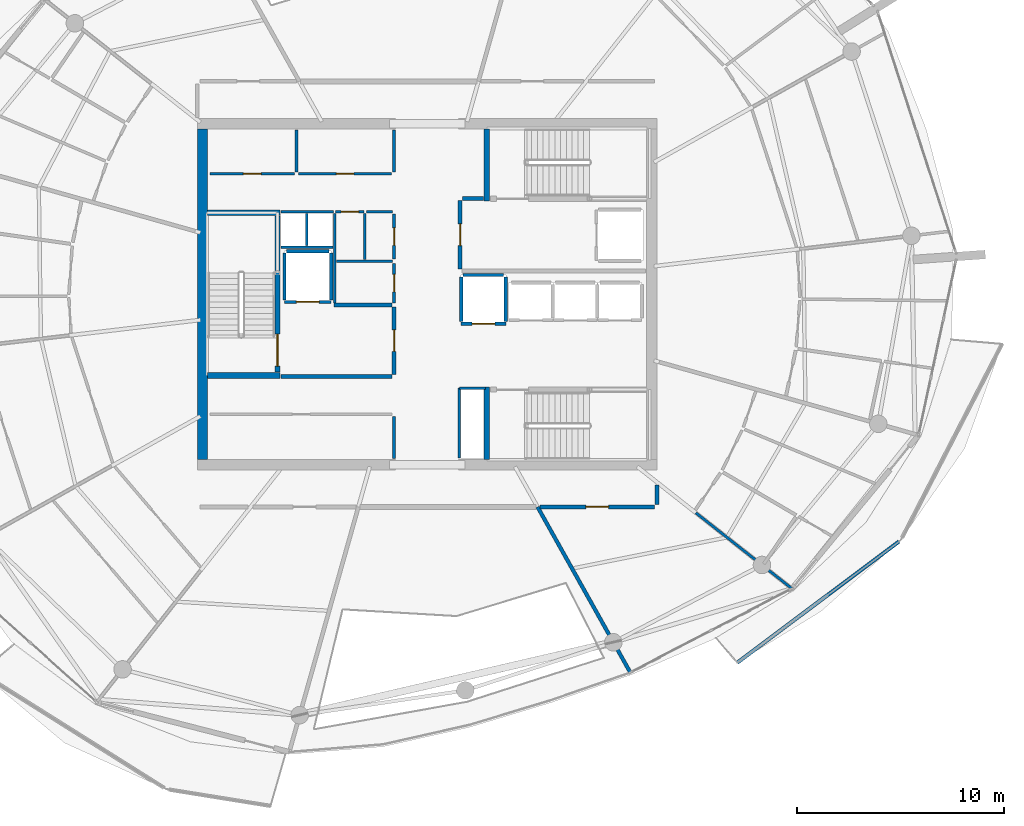
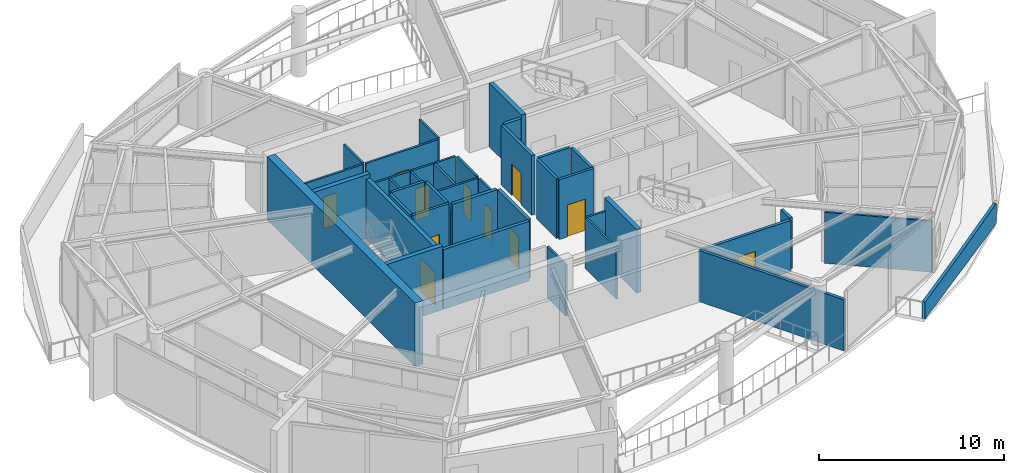
# One storey, part 14 of 22: 41 walls, 11 doors, 11 openings.
"""IFC4 building model written with IfcOpenShell, lengths in metres."""

from ifc_helpers import new_model, si_unit, direction, frame, frame_2d, origin, place, context, subcontext, project, spatial, polyline, rectangle, outline, extrude, material, layer, layer_set, type_object, element, fill, save


model = new_model("IFC4")

# Units and contexts
model_context = context("Model", 3, precision=1e-05, world=origin(), true_north=direction((0.0, 1.0)))
body_context = subcontext(model_context, "Body", "Model", "MODEL_VIEW")
ifc_project = project(units=[si_unit("LENGTHUNIT", "METRE"), si_unit("AREAUNIT", "SQUARE_METRE"), si_unit("VOLUMEUNIT", "CUBIC_METRE"), si_unit("PLANEANGLEUNIT", "RADIAN"), si_unit("MASSUNIT", "GRAM", prefix="KILO")], contexts=[model_context])

# Site, building, storey
site_placement = place(None, origin())
site = spatial("IfcSite", under=ifc_project, at=site_placement, CompositionType="ELEMENT")
building_placement = place(site_placement, origin())
building = spatial("IfcBuilding", under=site, at=building_placement, Name="Kazma Halo Residences", CompositionType="ELEMENT")
storey_placement = place(building_placement, frame((0.0, 0.0, 334.699951171875)))
storey = spatial("IfcBuildingStorey", under=building, at=storey_placement, Name="L84", CompositionType="ELEMENT", Elevation=334.699951171875)

# Walls
ifc_material_1 = material(Name="White Concrete C50/60 Balustrade", Category="concrete")
ifc_layer_1 = layer(ifc_material_1, 0.179931640625)
ifc_layer_set_1 = layer_set([ifc_layer_1], Name="White Concrete C50/60 Balustrade")
wall_type_1 = type_object("IfcWallType", Name="WL-BAL-WAVE-180", PredefinedType="PARAPET", material=ifc_layer_set_1)
wall_1_placement = place(storey_placement, frame((63.427001953125, 24.158935546875, 0.0), z_axis=(0.0, 0.0, 1.0), x_axis=(0.800350065213, 0.599532962491, 0.0)))
element("IfcWall", 1, at=wall_1_placement, inside=storey, type_object=wall_type_1, Name="L84 white wave balustrade wall SE.1", PredefinedType="PARAPET", context=body_context, shape_type="SweptSolid", body=[
    extrude(outline(polyline([(0.0, 0.0), (9.787841796875, 0.0), (9.787841796875, 1.34814453125), (4.89404296875, 1.18212890625), (0.0, 1.1201171875), (0.0, 0.0)])), frame((0.0, 0.08984375, 0.0), z_axis=(0.0, -1.0, 0.0), x_axis=(1.0, 0.0, 0.0)), (0.0, 0.0, 1.0), 0.179931640625),
])
ifc_material_2 = material(Name="Concrete C60/75", Category="concrete")
ifc_layer_2 = layer(ifc_material_2, 0.5)
ifc_layer_set_2 = layer_set([ifc_layer_2], Name="Concrete C60/75")
wall_type_2 = type_object("IfcWallType", Name="WL-CORE-500", PredefinedType="SHEAR", material=ifc_layer_set_2)
wall_2_placement = place(storey_placement, frame((37.550048828125, 34.0, 0.0), z_axis=(0.0, 0.0, 1.0), x_axis=(0.0, 1.0, 0.0)))
element("IfcWall", 2, at=wall_2_placement, inside=storey, type_object=wall_type_2, Name="L84 central core shear wall W", PredefinedType="SHEAR", context=body_context, shape_type="SweptSolid", body=[
    extrude(rectangle(XDim=16.0, YDim=0.5, at=frame_2d((8.0, 0.0))), origin(), (0.0, 0.0, 1.0), 4.199951171875),
])
ifc_layer_3 = layer(ifc_material_2, 0.280029296875)
ifc_layer_set_3 = layer_set([ifc_layer_3], Name="Concrete C60/75")
wall_type_3 = type_object("IfcWallType", Name="WL-CORE-ST-280", PredefinedType="SHEAR", material=ifc_layer_set_3)
for number, where, z_axis, x_axis, name in (
    (3, (37.800048828125, 38.06005859375, 0.0), (0.0, 0.0, 1.0), (1.0, 0.0, 0.0), "L84 stairwell bearing wall ST01-S"),
    (4, (37.800048828125, 45.93994140625, 0.0), (0.0, 0.0, 1.0), (1.0, 0.0, 0.0), "L84 stairwell bearing wall ST01-N"),
    (5, (51.31005859375, 46.5, 0.0), (0.0, 0.0, 1.0), (0.0, 1.0, 0.0), "L84 stairwell bearing wall ST02-W"),
    (6, (51.31005859375, 34.0, 0.0), (0.0, 0.0, 1.0), (0.0, 1.0, 0.0), "L84 stairwell bearing wall ST03-W"),
):
    element("IfcWall", number, at=place(storey_placement, frame(where, z_axis=z_axis, x_axis=x_axis)), inside=storey, type_object=wall_type_3, Name=name, PredefinedType="SHEAR", context=body_context, shape_type="SweptSolid", body=[
        extrude(rectangle(XDim=3.5, YDim=0.280029296875, at=frame_2d((1.75, 0.0))), origin(), (0.0, 0.0, 1.0), 4.199951171875),
    ])
ifc_material_3 = material(Name="Acoustic Twin-Stud Gypsum")
ifc_layer_4 = layer(ifc_material_3, 0.179931640625)
ifc_layer_set_4 = layer_set([ifc_layer_4], Name="Acoustic Twin-Stud Gypsum")
wall_type_4 = type_object("IfcWallType", Name="WL-DEM-180", PredefinedType="PARTITIONING", material=ifc_layer_set_4)
wall_3_placement = place(storey_placement, frame((53.768310546875, 31.699951171875, 0.0), z_axis=(0.0, 0.0, 1.0), x_axis=(0.488623665245, -0.872494649704, 0.0)))
element("IfcWall", 7, at=wall_3_placement, inside=storey, type_object=wall_type_4, Name="L84 apartment demising radial wall 12", PredefinedType="PARTITIONING", context=body_context, shape_type="SweptSolid", body=[
    extrude(rectangle(XDim=9.156982421875, YDim=0.179931640625, at=frame_2d((4.57861328125, 0.0))), origin(), (0.0, 0.0, 1.0), 3.380126953125),
])

# Wall, opening, door
wall_4_placement = place(storey_placement, frame((53.88818359375, 31.699951171875, 0.0), z_axis=(0.0, 0.0, 1.0), x_axis=(1.0, 0.0, 0.0)))
wall_4 = element("IfcWall", 8, at=wall_4_placement, inside=storey, type_object=wall_type_4, Name="L84 Penthouse 3 entrance corridor wall", PredefinedType="PARTITIONING", context=body_context, shape_type="SweptSolid", body=[
    extrude(rectangle(XDim=5.541748046875, YDim=0.179931640625, at=frame_2d((2.77099609375, 0.0))), origin(), (0.0, 0.0, 1.0), 3.380126953125),
])
opening_1_placement = place(wall_4_placement, frame((2.220703125, 0.0, 0.0)))
opening_1 = element("IfcOpeningElement", 9, at=opening_1_placement, cuts=wall_4, Name="Opening DA-1100", PredefinedType="OPENING", context=body_context, shape_type="SweptSolid", body=[
    extrude(rectangle(XDim=1.10009765625, YDim=2.10009765625, at=frame_2d((0.550048828125, 1.050048828125))), frame((0.0, 0.099853515625, 0.0), z_axis=(0.0, -1.0, 0.0), x_axis=(1.0, 0.0, 0.0)), (0.0, 0.0, 1.0), 0.199951171875),
])
ifc_material_4 = material(Name="Acoustic Walnut Fire Leaf")
door_type_1 = type_object("IfcDoorType", Name="DR-FD60-1100", OperationType="NOTDEFINED", PredefinedType="DOOR", material=ifc_material_4)
door_1_placement = place(opening_1_placement, origin())
door_1 = element("IfcDoor", 10, at=door_1_placement, inside=storey, type_object=door_type_1, Name="L84 Penthouse 3 entrance fire door", OperationType="SINGLE_SWING_RIGHT", OverallHeight=2.10009765625, OverallWidth=1.10009765625, PredefinedType="DOOR", context=body_context, shape_type="SweptSolid", body=[
    extrude(rectangle(XDim=1.10009765625, YDim=2.10009765625, at=frame_2d((0.550048828125, 1.050048828125))), frame((0.0, 0.02490234375, 0.0), z_axis=(0.0, -1.0, 0.0), x_axis=(1.0, 0.0, 0.0)), (0.0, 0.0, 1.0), 0.050048828125),
])
fill(opening_1, door_1)

# Wall
wall_5_placement = place(storey_placement, frame((59.550048828125, 31.820068359375, 0.0), z_axis=(0.0, 0.0, 1.0), x_axis=(0.0, 1.0, 0.0)))
element("IfcWall", 11, at=wall_5_placement, inside=storey, type_object=wall_type_4, Name="L84 Penthouse 3 entrance corridor wall", PredefinedType="PARTITIONING", context=body_context, shape_type="SweptSolid", body=[
    extrude(rectangle(XDim=0.95458984375, YDim=0.179931640625, at=frame_2d((0.477294921875, 0.0))), origin(), (0.0, 0.0, 1.0), 3.380126953125),
])

# Wall, opening, door
ifc_material_5 = material(Name="Fire-Rated Blockwork Masonry", Category="masonry")
ifc_layer_5 = layer(ifc_material_5, 0.199951171875)
ifc_layer_set_5 = layer_set([ifc_layer_5], Name="Fire-Rated Blockwork Masonry")
wall_type_5 = type_object("IfcWallType", Name="WL-FLB-200", PredefinedType="PARTITIONING", material=ifc_layer_set_5)
wall_6_placement = place(storey_placement, frame((43.780029296875, 41.6201171875, 0.0), z_axis=(0.0, 0.0, 1.0), x_axis=(-1.0, 0.0, 0.0)))
wall_6 = element("IfcWall", 12, at=wall_6_placement, inside=storey, type_object=wall_type_5, Name="L84 lift shaft FL-01 front wall", PredefinedType="PARTITIONING", context=body_context, shape_type="SweptSolid", body=[
    extrude(rectangle(XDim=2.260009765625, YDim=0.159912109375, at=frame_2d((1.1298828125, 0.0))), origin(), (0.0, 0.0, 1.0), 3.93994140625),
])
opening_2_placement = place(wall_6_placement, frame((0.580078125, 0.0, 0.0)))
opening_2 = element("IfcOpeningElement", 13, at=opening_2_placement, cuts=wall_6, Name="Opening LD-FL-01", PredefinedType="OPENING", context=body_context, shape_type="SweptSolid", body=[
    extrude(rectangle(XDim=1.10009765625, YDim=2.10009765625, at=frame_2d((0.550048828125, 1.050048828125))), frame((0.0, 0.08984375, 0.0), z_axis=(0.0, -1.0, 0.0), x_axis=(1.0, 0.0, 0.0)), (0.0, 0.0, 1.0), 0.179931640625),
])
ifc_material_6 = material(Name="Stainless Steel Fire-Rated", Category="steel")
door_type_2 = type_object("IfcDoorType", Name="DR-LIFT-SLD-1100", OperationType="DOUBLE_DOOR_SLIDING", PredefinedType="DOOR", material=ifc_material_6)
door_2_placement = place(opening_2_placement, origin())
door_2 = element("IfcDoor", 14, at=door_2_placement, inside=storey, type_object=door_type_2, Name="L84 lift FL-01 sliding landing door", OperationType="DOUBLE_DOOR_SLIDING", OverallHeight=2.10009765625, OverallWidth=1.10009765625, PredefinedType="DOOR", context=body_context, shape_type="SweptSolid", body=[
    extrude(rectangle(XDim=1.10009765625, YDim=2.10009765625, at=frame_2d((0.550048828125, 1.050048828125))), frame((0.0, 0.02490234375, 0.0), z_axis=(0.0, -1.0, 0.0), x_axis=(1.0, 0.0, 0.0)), (0.0, 0.0, 1.0), 0.050048828125),
])
fill(opening_2, door_2)

# Walls
for number, where, z_axis, x_axis, name in (
    (15, (43.780029296875, 41.719970703125, 0.0), (0.0, 0.0, 1.0), (0.0, 1.0, 0.0), "L84 lift shaft FL-01 side wall E"),
    (16, (41.52001953125, 41.719970703125, 0.0), (0.0, 0.0, 1.0), (0.0, 1.0, 0.0), "L84 lift shaft FL-01 side wall W"),
):
    element("IfcWall", number, at=place(storey_placement, frame(where, z_axis=z_axis, x_axis=x_axis)), inside=storey, type_object=wall_type_5, Name=name, PredefinedType="PARTITIONING", context=body_context, shape_type="SweptSolid", body=[
        extrude(rectangle(XDim=2.260009765625, YDim=0.159912109375, at=frame_2d((1.1298828125, 0.0))), origin(), (0.0, 0.0, 1.0), 3.93994140625),
    ])
wall_7_placement = place(storey_placement, frame((41.6201171875, 44.080078125, 0.0), z_axis=(0.0, 0.0, 1.0), x_axis=(1.0, 0.0, 0.0)))
element("IfcWall", 17, at=wall_7_placement, inside=storey, type_object=wall_type_5, Name="L84 lift shaft FL-01 side wall N", PredefinedType="PARTITIONING", context=body_context, shape_type="SweptSolid", body=[
    extrude(rectangle(XDim=2.059814453125, YDim=0.159912109375, at=frame_2d((1.02978515625, 0.0))), origin(), (0.0, 0.0, 1.0), 3.93994140625),
])

# Wall, opening, door
wall_8_placement = place(storey_placement, frame((52.22998046875, 40.570068359375, 0.0), z_axis=(0.0, 0.0, 1.0), x_axis=(-1.0, 0.0, 0.0)))
wall_8 = element("IfcWall", 18, at=wall_8_placement, inside=storey, type_object=wall_type_5, Name="L84 lift shaft SV-01 front wall", PredefinedType="PARTITIONING", context=body_context, shape_type="SweptSolid", body=[
    extrude(rectangle(XDim=2.159912109375, YDim=0.159912109375, at=frame_2d((1.080078125, 0.0))), origin(), (0.0, 0.0, 1.0), 3.93994140625),
])
opening_3_placement = place(wall_8_placement, frame((0.530029296875, 0.0, 0.0)))
opening_3 = element("IfcOpeningElement", 19, at=opening_3_placement, cuts=wall_8, Name="Opening LD-SV-01", PredefinedType="OPENING", context=body_context, shape_type="SweptSolid", body=[
    extrude(rectangle(XDim=1.10009765625, YDim=2.10009765625, at=frame_2d((0.550048828125, 1.050048828125))), frame((0.0, 0.08984375, 0.0), z_axis=(0.0, -1.0, 0.0), x_axis=(1.0, 0.0, 0.0)), (0.0, 0.0, 1.0), 0.179931640625),
])
door_3_placement = place(opening_3_placement, origin())
door_3 = element("IfcDoor", 20, at=door_3_placement, inside=storey, type_object=door_type_2, Name="L84 lift SV-01 sliding landing door", OperationType="DOUBLE_DOOR_SLIDING", OverallHeight=2.10009765625, OverallWidth=1.10009765625, PredefinedType="DOOR", context=body_context, shape_type="SweptSolid", body=[
    extrude(rectangle(XDim=1.10009765625, YDim=2.10009765625, at=frame_2d((0.550048828125, 1.050048828125))), frame((0.0, 0.02490234375, 0.0), z_axis=(0.0, -1.0, 0.0), x_axis=(1.0, 0.0, 0.0)), (0.0, 0.0, 1.0), 0.050048828125),
])
fill(opening_3, door_3)

# Walls
for number, where, z_axis, x_axis, name in (
    (21, (52.22998046875, 40.669921875, 0.0), (0.0, 0.0, 1.0), (0.0, 1.0, 0.0), "L84 lift shaft SV-01 side wall E"),
    (22, (50.070068359375, 40.669921875, 0.0), (0.0, 0.0, 1.0), (0.0, 1.0, 0.0), "L84 lift shaft SV-01 side wall W"),
):
    element("IfcWall", number, at=place(storey_placement, frame(where, z_axis=z_axis, x_axis=x_axis)), inside=storey, type_object=wall_type_5, Name=name, PredefinedType="PARTITIONING", context=body_context, shape_type="SweptSolid", body=[
        extrude(rectangle(XDim=2.16015625, YDim=0.159912109375, at=frame_2d((1.080078125, 0.0))), origin(), (0.0, 0.0, 1.0), 3.93994140625),
    ])
wall_9_placement = place(storey_placement, frame((50.169921875, 42.929931640625, 0.0), z_axis=(0.0, 0.0, 1.0), x_axis=(1.0, 0.0, 0.0)))
element("IfcWall", 23, at=wall_9_placement, inside=storey, type_object=wall_type_5, Name="L84 lift shaft SV-01 side wall N", PredefinedType="PARTITIONING", context=body_context, shape_type="SweptSolid", body=[
    extrude(rectangle(XDim=1.9599609375, YDim=0.159912109375, at=frame_2d((0.97998046875, 0.0))), origin(), (0.0, 0.0, 1.0), 3.93994140625),
])
wall_10_placement = place(storey_placement, frame((41.35009765625, 38.02001953125, 0.0), z_axis=(0.0, 0.0, 1.0), x_axis=(1.0, 0.0, 0.0)))
element("IfcWall", 24, at=wall_10_placement, inside=storey, type_object=wall_type_5, Name="L84 west firefighting lobby south smoke wall", PredefinedType="PARTITIONING", context=body_context, shape_type="SweptSolid", body=[
    extrude(rectangle(XDim=5.369873046875, YDim=0.199951171875, at=frame_2d((2.68505859375, 0.0))), origin(), (0.0, 0.0, 1.0), 3.93994140625),
])
wall_11_placement = place(storey_placement, frame((43.919921875, 41.47998046875, 0.0), z_axis=(0.0, 0.0, 1.0), x_axis=(1.0, 0.0, 0.0)))
element("IfcWall", 25, at=wall_11_placement, inside=storey, type_object=wall_type_5, Name="L84 west firefighting lobby north smoke wall", PredefinedType="PARTITIONING", context=body_context, shape_type="SweptSolid", body=[
    extrude(rectangle(XDim=2.800048828125, YDim=0.199951171875, at=frame_2d((1.39990234375, 0.0))), origin(), (0.0, 0.0, 1.0), 3.93994140625),
])

# Wall, opening, door
wall_12_placement = place(storey_placement, frame((46.820068359375, 38.1201171875, 0.0), z_axis=(0.0, 0.0, 1.0), x_axis=(0.0, 1.0, 0.0)))
wall_12 = element("IfcWall", 26, at=wall_12_placement, inside=storey, type_object=wall_type_5, Name="L84 west firefighting lobby smoke wall", PredefinedType="PARTITIONING", context=body_context, shape_type="SweptSolid", body=[
    extrude(rectangle(XDim=3.259765625, YDim=0.199951171875, at=frame_2d((1.6298828125, 0.0))), origin(), (0.0, 0.0, 1.0), 3.93994140625),
])
opening_4_placement = place(wall_12_placement, frame((1.10498046875, 0.0, 0.0)))
opening_4 = element("IfcOpeningElement", 27, at=opening_4_placement, cuts=wall_12, Name="Opening D-FLW", PredefinedType="OPENING", context=body_context, shape_type="SweptSolid", body=[
    extrude(rectangle(XDim=1.050048828125, YDim=2.10009765625, at=frame_2d((0.52490234375, 1.050048828125))), frame((0.0, 0.10986328125, 0.0), z_axis=(0.0, -1.0, 0.0), x_axis=(1.0, 0.0, 0.0)), (0.0, 0.0, 1.0), 0.219970703125),
])
ifc_material_7 = material(Name="Fire-Rated Steel Leaf", Category="steel")
door_type_3 = type_object("IfcDoorType", Name="DR-FD90-1050", OperationType="NOTDEFINED", PredefinedType="DOOR", material=ifc_material_7)
door_4_placement = place(opening_4_placement, origin())
door_4 = element("IfcDoor", 28, at=door_4_placement, inside=storey, type_object=door_type_3, Name="L84 west firefighting lobby smoke door", OperationType="SINGLE_SWING_LEFT", OverallHeight=2.10009765625, OverallWidth=1.050048828125, PredefinedType="DOOR", context=body_context, shape_type="SweptSolid", body=[
    extrude(rectangle(XDim=1.050048828125, YDim=2.10009765625, at=frame_2d((0.52490234375, 1.050048828125))), frame((0.0, 0.02490234375, 0.0), z_axis=(0.0, -1.0, 0.0), x_axis=(1.0, 0.0, 0.0)), (0.0, 0.0, 1.0), 0.050048828125),
])
fill(opening_4, door_4)

# Wall
wall_13_placement = place(storey_placement, frame((50.139892578125, 46.6201171875, 0.0), z_axis=(0.0, 0.0, 1.0), x_axis=(1.0, 0.0, 0.0)))
element("IfcWall", 29, at=wall_13_placement, inside=storey, type_object=wall_type_5, Name="L84 east firefighting lobby north closure wall", PredefinedType="PARTITIONING", context=body_context, shape_type="SweptSolid", body=[
    extrude(rectangle(XDim=1.02001953125, YDim=0.199951171875, at=frame_2d((0.510009765625, 0.0))), origin(), (0.0, 0.0, 1.0), 3.93994140625),
])

# Wall, opening, door
wall_14_placement = place(storey_placement, frame((50.02001953125, 43.219970703125, 0.0), z_axis=(0.0, 0.0, 1.0), x_axis=(0.0, 1.0, 0.0)))
wall_14 = element("IfcWall", 30, at=wall_14_placement, inside=storey, type_object=wall_type_5, Name="L84 east firefighting lobby smoke wall", PredefinedType="PARTITIONING", context=body_context, shape_type="SweptSolid", body=[
    extrude(rectangle(XDim=3.300048828125, YDim=0.199951171875, at=frame_2d((1.64990234375, 0.0))), origin(), (0.0, 0.0, 1.0), 3.93994140625),
])
opening_5_placement = place(wall_14_placement, frame((1.125, 0.0, 0.0)))
opening_5 = element("IfcOpeningElement", 31, at=opening_5_placement, cuts=wall_14, Name="Opening D-FLE", PredefinedType="OPENING", context=body_context, shape_type="SweptSolid", body=[
    extrude(rectangle(XDim=1.050048828125, YDim=2.10009765625, at=frame_2d((0.52490234375, 1.050048828125))), frame((0.0, 0.10986328125, 0.0), z_axis=(0.0, -1.0, 0.0), x_axis=(1.0, 0.0, 0.0)), (0.0, 0.0, 1.0), 0.219970703125),
])
door_5_placement = place(opening_5_placement, origin())
door_5 = element("IfcDoor", 32, at=door_5_placement, inside=storey, type_object=door_type_3, Name="L84 east firefighting lobby smoke door", OperationType="SINGLE_SWING_RIGHT", OverallHeight=2.10009765625, OverallWidth=1.050048828125, PredefinedType="DOOR", context=body_context, shape_type="SweptSolid", body=[
    extrude(rectangle(XDim=1.050048828125, YDim=2.10009765625, at=frame_2d((0.52490234375, 1.050048828125))), frame((0.0, 0.02490234375, 0.0), z_axis=(0.0, -1.0, 0.0), x_axis=(1.0, 0.0, 0.0)), (0.0, 0.0, 1.0), 0.050048828125),
])
fill(opening_5, door_5)

# Walls
ifc_material_8 = material(Name="Gypsum Plasterboard Partition")
ifc_layer_6 = layer(ifc_material_8, 0.125)
ifc_layer_set_6 = layer_set([ifc_layer_6], Name="Gypsum Plasterboard Partition")
wall_type_6 = type_object("IfcWallType", Name="WL-PART-125", PredefinedType="PARTITIONING", material=ifc_layer_set_6)
for number, where, z_axis, x_axis, name in (
    (33, (46.820068359375, 34.050048828125, 0.0), (0.0, 0.0, 1.0), (0.0, 1.0, 0.0), "L84 reclaimed south east wall"),
    (34, (46.820068359375, 47.919921875, 0.0), (0.0, 0.0, 1.0), (0.0, 1.0, 0.0), "L84 reclaimed north east wall"),
    (35, (42.10009765625, 47.919921875, 0.0), (0.0, 0.0, 1.0), (0.0, 1.0, 0.0), "L84 reclaimed north divider wall"),
):
    element("IfcWall", number, at=place(storey_placement, frame(where, z_axis=z_axis, x_axis=x_axis)), inside=storey, type_object=wall_type_6, Name=name, PredefinedType="PARTITIONING", context=body_context, shape_type="SweptSolid", body=[
        extrude(rectangle(XDim=2.030029296875, YDim=0.125, at=frame_2d((1.01513671875, 0.0))), origin(), (0.0, 0.0, 1.0), 3.380126953125),
    ])

# Wall, opening, door
wall_15_placement = place(storey_placement, frame((37.919921875, 47.820068359375, 0.0), z_axis=(0.0, 0.0, 1.0), x_axis=(1.0, 0.0, 0.0)))
wall_15 = element("IfcWall", 36, at=wall_15_placement, inside=storey, type_object=wall_type_6, Name="L84 reclaimed north W front wall", PredefinedType="PARTITIONING", context=body_context, shape_type="SweptSolid", body=[
    extrude(rectangle(XDim=4.080078125, YDim=0.125, at=frame_2d((2.0400390625, 0.0))), origin(), (0.0, 0.0, 1.0), 3.380126953125),
])
opening_6_placement = place(wall_15_placement, frame((1.614990234375, 0.0, 0.0)))
opening_6 = element("IfcOpeningElement", 37, at=opening_6_placement, cuts=wall_15, Name="Opening DS-850", PredefinedType="OPENING", context=body_context, shape_type="SweptSolid", body=[
    extrude(rectangle(XDim=0.85009765625, YDim=2.06005859375, at=frame_2d((0.425048828125, 1.030029296875))), frame((0.0, 0.072509765625, 0.0), z_axis=(0.0, -1.0, 0.0), x_axis=(1.0, 0.0, 0.0)), (0.0, 0.0, 1.0), 0.14501953125),
])
ifc_material_9 = material(Name="Painted Steel Access Leaf", Category="steel")
door_type_4 = type_object("IfcDoorType", Name="DR-SVC-850", OperationType="NOTDEFINED", PredefinedType="DOOR", material=ifc_material_9)
door_6_placement = place(opening_6_placement, origin())
door_6 = element("IfcDoor", 38, at=door_6_placement, inside=storey, type_object=door_type_4, Name="L84 reclaimed north W door", OperationType="SINGLE_SWING_RIGHT", OverallHeight=2.06005859375, OverallWidth=0.85009765625, PredefinedType="DOOR", context=body_context, shape_type="SweptSolid", body=[
    extrude(rectangle(XDim=0.85009765625, YDim=2.06005859375, at=frame_2d((0.425048828125, 1.030029296875))), frame((0.0, 0.02490234375, 0.0), z_axis=(0.0, -1.0, 0.0), x_axis=(1.0, 0.0, 0.0)), (0.0, 0.0, 1.0), 0.050048828125),
])
fill(opening_6, door_6)

wall_16_placement = place(storey_placement, frame((42.199951171875, 47.820068359375, 0.0), z_axis=(0.0, 0.0, 1.0), x_axis=(1.0, 0.0, 0.0)))
wall_16 = element("IfcWall", 39, at=wall_16_placement, inside=storey, type_object=wall_type_6, Name="L84 reclaimed north E front wall", PredefinedType="PARTITIONING", context=body_context, shape_type="SweptSolid", body=[
    extrude(rectangle(XDim=4.5, YDim=0.125, at=frame_2d((2.25, 0.0))), origin(), (0.0, 0.0, 1.0), 3.380126953125),
])
opening_7_placement = place(wall_16_placement, frame((1.824951171875, 0.0, 0.0)))
opening_7 = element("IfcOpeningElement", 40, at=opening_7_placement, cuts=wall_16, Name="Opening DS-850", PredefinedType="OPENING", context=body_context, shape_type="SweptSolid", body=[
    extrude(rectangle(XDim=0.85009765625, YDim=2.06005859375, at=frame_2d((0.425048828125, 1.030029296875))), frame((0.0, 0.072509765625, 0.0), z_axis=(0.0, -1.0, 0.0), x_axis=(1.0, 0.0, 0.0)), (0.0, 0.0, 1.0), 0.14501953125),
])
door_7_placement = place(opening_7_placement, origin())
door_7 = element("IfcDoor", 41, at=door_7_placement, inside=storey, type_object=door_type_4, Name="L84 reclaimed north E door", OperationType="SINGLE_SWING_LEFT", OverallHeight=2.06005859375, OverallWidth=0.85009765625, PredefinedType="DOOR", context=body_context, shape_type="SweptSolid", body=[
    extrude(rectangle(XDim=0.85009765625, YDim=2.06005859375, at=frame_2d((0.425048828125, 1.030029296875))), frame((0.0, 0.02490234375, 0.0), z_axis=(0.0, -1.0, 0.0), x_axis=(1.0, 0.0, 0.0)), (0.0, 0.0, 1.0), 0.050048828125),
])
fill(opening_7, door_7)

# Walls
wall_17_placement = place(storey_placement, frame((41.360107421875, 44.260009765625, 0.0), z_axis=(0.0, 0.0, 1.0), x_axis=(1.0, 0.0, 0.0)))
element("IfcWall", 42, at=wall_17_placement, inside=storey, type_object=wall_type_6, Name="L84 core riser south wall", PredefinedType="PARTITIONING", context=body_context, shape_type="SweptSolid", body=[
    extrude(rectangle(XDim=2.5, YDim=0.125, at=frame_2d((1.25, 0.0))), origin(), (0.0, 0.0, 1.0), 3.380126953125),
])
wall_18_placement = place(storey_placement, frame((42.60009765625, 44.35009765625, 0.0), z_axis=(0.0, 0.0, 1.0), x_axis=(0.0, 1.0, 0.0)))
element("IfcWall", 43, at=wall_18_placement, inside=storey, type_object=wall_type_6, Name="L84 core riser divider wall", PredefinedType="PARTITIONING", context=body_context, shape_type="SweptSolid", body=[
    extrude(rectangle(XDim=1.5498046875, YDim=0.125, at=frame_2d((0.77490234375, 0.0))), origin(), (0.0, 0.0, 1.0), 3.380126953125),
])
wall_19_placement = place(storey_placement, frame((49.97998046875, 34.06005859375, 0.0), z_axis=(0.0, 0.0, 1.0), x_axis=(0.0, 1.0, 0.0)))
element("IfcWall", 44, at=wall_19_placement, inside=storey, type_object=wall_type_6, Name="L84 standpipe riser wall", PredefinedType="PARTITIONING", context=body_context, shape_type="SweptSolid", body=[
    extrude(rectangle(XDim=3.39990234375, YDim=0.125, at=frame_2d((1.699951171875, 0.0))), origin(), (0.0, 0.0, 1.0), 3.380126953125),
])
wall_20_placement = place(storey_placement, frame((49.97998046875, 37.43994140625, 0.0), z_axis=(0.0, 0.0, 1.0), x_axis=(1.0, 0.0, 0.0)))
element("IfcWall", 45, at=wall_20_placement, inside=storey, type_object=wall_type_6, Name="L84 standpipe riser north wall", PredefinedType="PARTITIONING", context=body_context, shape_type="SweptSolid", body=[
    extrude(rectangle(XDim=1.260009765625, YDim=0.125, at=frame_2d((0.6298828125, 0.0))), origin(), (0.0, 0.0, 1.0), 3.380126953125),
])
wall_21_placement = place(storey_placement, frame((43.949951171875, 41.580078125, 0.0), z_axis=(0.0, 0.0, 1.0), x_axis=(0.0, 1.0, 0.0)))
element("IfcWall", 46, at=wall_21_placement, inside=storey, type_object=wall_type_6, Name="L84 core service west wall", PredefinedType="PARTITIONING", context=body_context, shape_type="SweptSolid", body=[
    extrude(rectangle(XDim=4.31982421875, YDim=0.125, at=frame_2d((2.159912109375, 0.0))), origin(), (0.0, 0.0, 1.0), 3.380126953125),
])
wall_22_placement = place(storey_placement, frame((44.030029296875, 43.590087890625, 0.0), z_axis=(0.0, 0.0, 1.0), x_axis=(1.0, 0.0, 0.0)))
element("IfcWall", 47, at=wall_22_placement, inside=storey, type_object=wall_type_6, Name="L84 core service horiz divider", PredefinedType="PARTITIONING", context=body_context, shape_type="SweptSolid", body=[
    extrude(rectangle(XDim=2.7099609375, YDim=0.125, at=frame_2d((1.35498046875, 0.0))), origin(), (0.0, 0.0, 1.0), 3.380126953125),
])
wall_23_placement = place(storey_placement, frame((45.409912109375, 43.669921875, 0.0), z_axis=(0.0, 0.0, 1.0), x_axis=(0.0, 1.0, 0.0)))
element("IfcWall", 48, at=wall_23_placement, inside=storey, type_object=wall_type_6, Name="L84 core service vert divider", PredefinedType="PARTITIONING", context=body_context, shape_type="SweptSolid", body=[
    extrude(rectangle(XDim=2.22998046875, YDim=0.125, at=frame_2d((1.114990234375, 0.0))), origin(), (0.0, 0.0, 1.0), 3.380126953125),
])

# Wall, opening, door
wall_24_placement = place(storey_placement, frame((46.820068359375, 41.580078125, 0.0), z_axis=(0.0, 0.0, 1.0), x_axis=(0.0, 1.0, 0.0)))
wall_24 = element("IfcWall", 49, at=wall_24_placement, inside=storey, type_object=wall_type_6, Name="L84 refuse room east wall", PredefinedType="PARTITIONING", context=body_context, shape_type="SweptSolid", body=[
    extrude(rectangle(XDim=1.909912109375, YDim=0.125, at=frame_2d((0.955078125, 0.0))), origin(), (0.0, 0.0, 1.0), 3.380126953125),
])
opening_8_placement = place(wall_24_placement, frame((0.530029296875, 0.0, 0.0)))
opening_8 = element("IfcOpeningElement", 50, at=opening_8_placement, cuts=wall_24, Name="Opening DS-850", PredefinedType="OPENING", context=body_context, shape_type="SweptSolid", body=[
    extrude(rectangle(XDim=0.85009765625, YDim=2.06005859375, at=frame_2d((0.425048828125, 1.030029296875))), frame((0.0, 0.072509765625, 0.0), z_axis=(0.0, -1.0, 0.0), x_axis=(1.0, 0.0, 0.0)), (0.0, 0.0, 1.0), 0.14501953125),
])
door_8_placement = place(opening_8_placement, origin())
door_8 = element("IfcDoor", 51, at=door_8_placement, inside=storey, type_object=door_type_4, Name="L84 refuse room door", OperationType="SINGLE_SWING_LEFT", OverallHeight=2.06005859375, OverallWidth=0.85009765625, PredefinedType="DOOR", context=body_context, shape_type="SweptSolid", body=[
    extrude(rectangle(XDim=0.85009765625, YDim=2.06005859375, at=frame_2d((0.425048828125, 1.030029296875))), frame((0.0, 0.02490234375, 0.0), z_axis=(0.0, -1.0, 0.0), x_axis=(1.0, 0.0, 0.0)), (0.0, 0.0, 1.0), 0.050048828125),
])
fill(opening_8, door_8)

wall_25_placement = place(storey_placement, frame((46.820068359375, 43.68994140625, 0.0), z_axis=(0.0, 0.0, 1.0), x_axis=(0.0, 1.0, 0.0)))
wall_25 = element("IfcWall", 52, at=wall_25_placement, inside=storey, type_object=wall_type_6, Name="L84 sub-metering east wall", PredefinedType="PARTITIONING", context=body_context, shape_type="SweptSolid", body=[
    extrude(rectangle(XDim=2.18994140625, YDim=0.125, at=frame_2d((1.094970703125, 0.0))), origin(), (0.0, 0.0, 1.0), 3.380126953125),
])
opening_9_placement = place(wall_25_placement, frame((0.669921875, 0.0, 0.0)))
opening_9 = element("IfcOpeningElement", 53, at=opening_9_placement, cuts=wall_25, Name="Opening DS-850", PredefinedType="OPENING", context=body_context, shape_type="SweptSolid", body=[
    extrude(rectangle(XDim=0.85009765625, YDim=2.06005859375, at=frame_2d((0.425048828125, 1.030029296875))), frame((0.0, 0.072509765625, 0.0), z_axis=(0.0, -1.0, 0.0), x_axis=(1.0, 0.0, 0.0)), (0.0, 0.0, 1.0), 0.14501953125),
])
door_9_placement = place(opening_9_placement, origin())
door_9 = element("IfcDoor", 54, at=door_9_placement, inside=storey, type_object=door_type_4, Name="L84 sub-metering door", OperationType="SINGLE_SWING_RIGHT", OverallHeight=2.06005859375, OverallWidth=0.85009765625, PredefinedType="DOOR", context=body_context, shape_type="SweptSolid", body=[
    extrude(rectangle(XDim=0.85009765625, YDim=2.06005859375, at=frame_2d((0.425048828125, 1.030029296875))), frame((0.0, 0.02490234375, 0.0), z_axis=(0.0, -1.0, 0.0), x_axis=(1.0, 0.0, 0.0)), (0.0, 0.0, 1.0), 0.050048828125),
])
fill(opening_9, door_9)

# Wall
wall_26_placement = place(storey_placement, frame((41.35009765625, 45.97998046875, 0.0), z_axis=(0.0, 0.0, 1.0), x_axis=(1.0, 0.0, 0.0)))
element("IfcWall", 55, at=wall_26_placement, inside=storey, type_object=wall_type_6, Name="L84 core riser NW wall", PredefinedType="PARTITIONING", context=body_context, shape_type="SweptSolid", body=[
    extrude(rectangle(XDim=2.52978515625, YDim=0.125, at=frame_2d((1.264892578125, 0.0))), origin(), (0.0, 0.0, 1.0), 3.380126953125),
])

# Wall, opening, door
wall_27_placement = place(storey_placement, frame((43.989990234375, 45.97998046875, 0.0), z_axis=(0.0, 0.0, 1.0), x_axis=(1.0, 0.0, 0.0)))
wall_27 = element("IfcWall", 56, at=wall_27_placement, inside=storey, type_object=wall_type_6, Name="L84 cleaners cupboard north wall", PredefinedType="PARTITIONING", context=body_context, shape_type="SweptSolid", body=[
    extrude(rectangle(XDim=1.380126953125, YDim=0.125, at=frame_2d((0.68994140625, 0.0))), origin(), (0.0, 0.0, 1.0), 3.380126953125),
])
opening_10_placement = place(wall_27_placement, frame((0.264892578125, 0.0, 0.0)))
opening_10 = element("IfcOpeningElement", 57, at=opening_10_placement, cuts=wall_27, Name="Opening DS-850", PredefinedType="OPENING", context=body_context, shape_type="SweptSolid", body=[
    extrude(rectangle(XDim=0.85009765625, YDim=2.06005859375, at=frame_2d((0.425048828125, 1.030029296875))), frame((0.0, 0.072509765625, 0.0), z_axis=(0.0, -1.0, 0.0), x_axis=(1.0, 0.0, 0.0)), (0.0, 0.0, 1.0), 0.14501953125),
])
door_10_placement = place(opening_10_placement, origin())
door_10 = element("IfcDoor", 58, at=door_10_placement, inside=storey, type_object=door_type_4, Name="L84 cleaners cupboard door", OperationType="SINGLE_SWING_LEFT", OverallHeight=2.06005859375, OverallWidth=0.85009765625, PredefinedType="DOOR", context=body_context, shape_type="SweptSolid", body=[
    extrude(rectangle(XDim=0.85009765625, YDim=2.06005859375, at=frame_2d((0.425048828125, 1.030029296875))), frame((0.0, 0.02490234375, 0.0), z_axis=(0.0, -1.0, 0.0), x_axis=(1.0, 0.0, 0.0)), (0.0, 0.0, 1.0), 0.050048828125),
])
fill(opening_10, door_10)

# Walls
wall_28_placement = place(storey_placement, frame((45.47998046875, 45.97998046875, 0.0), z_axis=(0.0, 0.0, 1.0), x_axis=(1.0, 0.0, 0.0)))
element("IfcWall", 59, at=wall_28_placement, inside=storey, type_object=wall_type_6, Name="L84 sub-metering north wall", PredefinedType="PARTITIONING", context=body_context, shape_type="SweptSolid", body=[
    extrude(rectangle(XDim=1.260009765625, YDim=0.125, at=frame_2d((0.6298828125, 0.0))), origin(), (0.0, 0.0, 1.0), 3.380126953125),
])
wall_29_placement = place(storey_placement, frame((61.42578125, 31.416015625, 0.0), z_axis=(0.0, 0.0, 1.0), x_axis=(0.785316001521, -0.619095128196, 0.0)))
element("IfcWall", 60, at=wall_29_placement, inside=storey, type_object=wall_type_6, Name="L84 Penthouse 3 radial partition 13", PredefinedType="PARTITIONING", context=body_context, shape_type="SweptSolid", body=[
    extrude(rectangle(XDim=5.897216796875, YDim=0.125, at=frame_2d((2.94873046875, 0.0))), origin(), (0.0, 0.0, 1.0), 3.380126953125),
])

# Wall, opening, door
ifc_material_10 = material(Name="Concrete C50/60", Category="concrete")
ifc_layer_7 = layer(ifc_material_10, 0.25)
ifc_layer_set_7 = layer_set([ifc_layer_7], Name="Concrete C50/60")
wall_type_7 = type_object("IfcWallType", Name="WL-SHF-250", PredefinedType="SOLIDWALL", material=ifc_layer_set_7)
wall_30_placement = place(storey_placement, frame((41.179931640625, 38.219970703125, 0.0), z_axis=(0.0, 0.0, 1.0), x_axis=(0.0, 1.0, 0.0)))
wall_30 = element("IfcWall", 61, at=wall_30_placement, inside=storey, type_object=wall_type_7, Name="L84 exit stair ST-01 enclosure wall", PredefinedType="SOLIDWALL", context=body_context, shape_type="SweptSolid", body=[
    extrude(rectangle(XDim=7.56005859375, YDim=0.25, at=frame_2d((3.780029296875, 0.0))), origin(), (0.0, 0.0, 1.0), 3.93994140625),
])
opening_11_placement = place(wall_30_placement, frame((0.300048828125, 0.0, 0.0)))
opening_11 = element("IfcOpeningElement", 62, at=opening_11_placement, cuts=wall_30, Name="Opening D-ST1", PredefinedType="OPENING", context=body_context, shape_type="SweptSolid", body=[
    extrude(rectangle(XDim=1.550048828125, YDim=2.14990234375, at=frame_2d((0.77490234375, 1.074951171875))), frame((0.0, 0.135009765625, 0.0), z_axis=(0.0, -1.0, 0.0), x_axis=(1.0, 0.0, 0.0)), (0.0, 0.0, 1.0), 0.27001953125),
])
ifc_material_11 = material(Name="Fire-Rated Double Steel Leaf", Category="steel")
door_type_5 = type_object("IfcDoorType", Name="DR-FD90-1550", OperationType="NOTDEFINED", PredefinedType="DOOR", material=ifc_material_11)
door_11_placement = place(opening_11_placement, origin())
door_11 = element("IfcDoor", 63, at=door_11_placement, inside=storey, type_object=door_type_5, Name="L84 exit stair ST-01 fire door", OperationType="DOUBLE_DOOR_SINGLE_SWING", OverallHeight=2.14990234375, OverallWidth=1.550048828125, PredefinedType="DOOR", context=body_context, shape_type="SweptSolid", body=[
    extrude(rectangle(XDim=1.550048828125, YDim=2.14990234375, at=frame_2d((0.77490234375, 1.074951171875))), frame((0.0, 0.02490234375, 0.0), z_axis=(0.0, -1.0, 0.0), x_axis=(1.0, 0.0, 0.0)), (0.0, 0.0, 1.0), 0.050048828125),
])
fill(opening_11, door_11)

save(model, "model.ifc")
